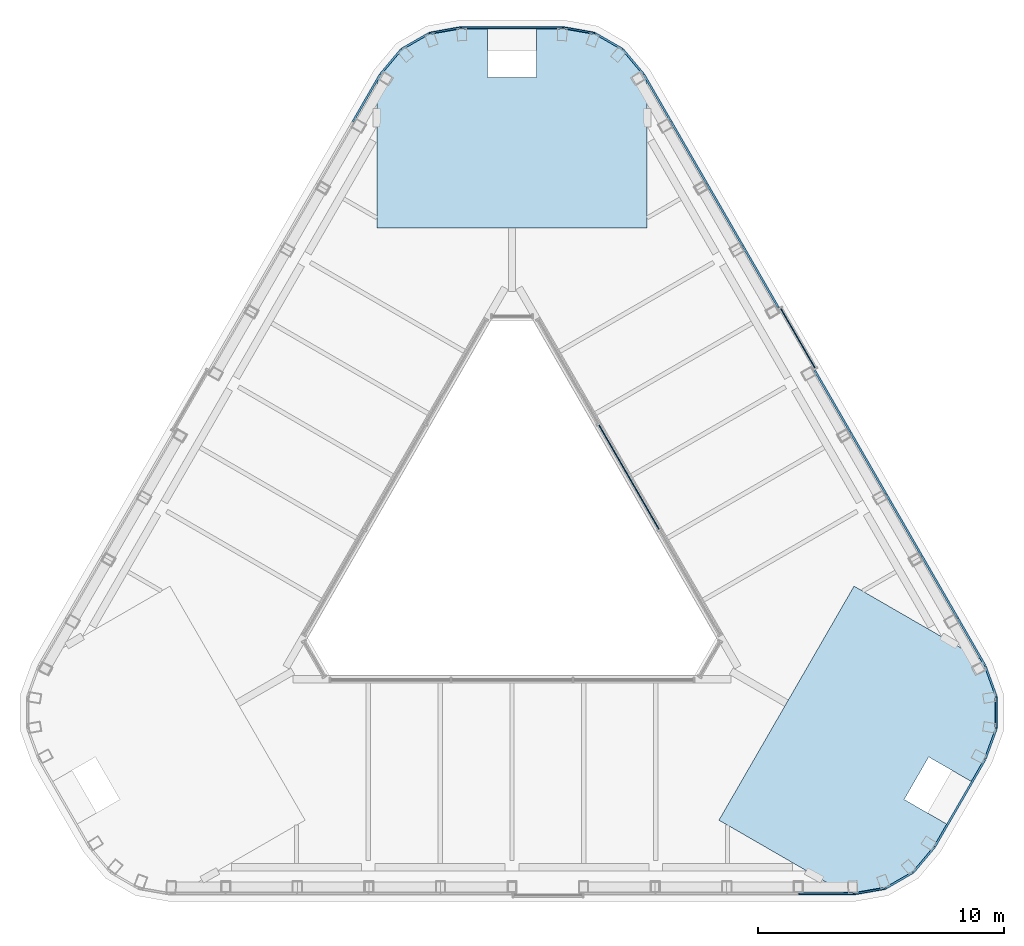
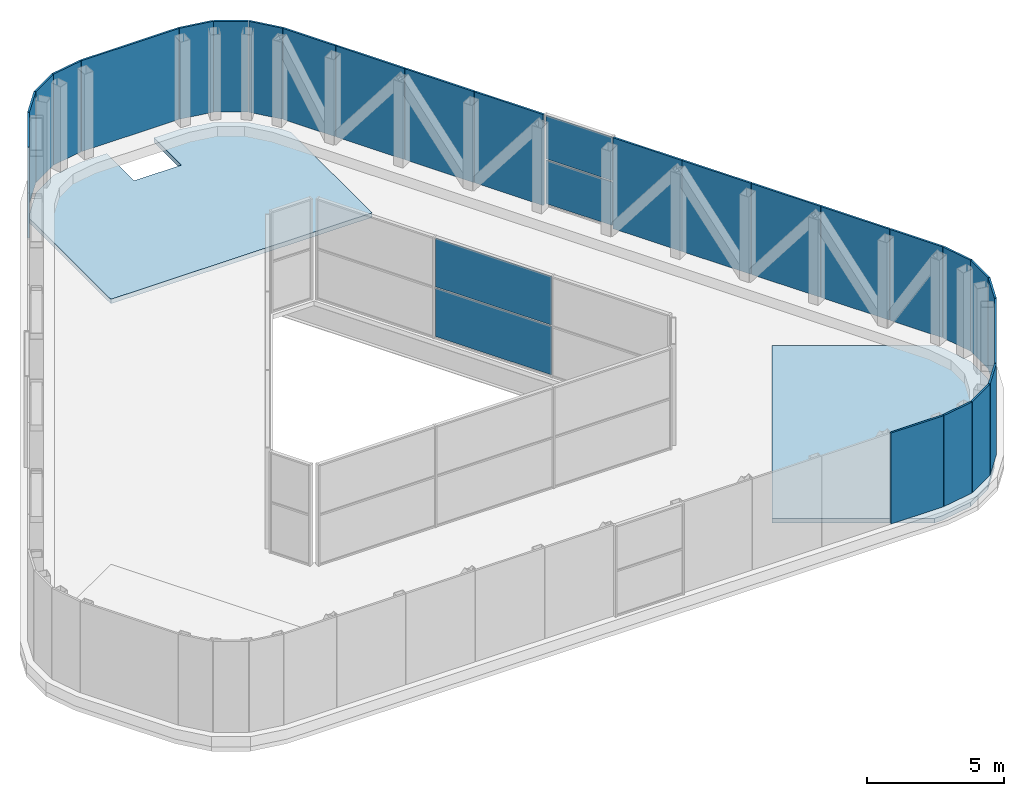
# One storey, part 5 of 5: 29 plates, 2 slabs, 2 elements without a shape of their own.
"""IFC4 building model written with IfcOpenShell, lengths in metres."""

from ifc_helpers import new_model, si_unit, direction, frame, origin, origin_2d, place, context, subcontext, project, spatial, polyline, rectangle, outline, extrude, material, layer, layer_set, type_object, element, aggregate, save


model = new_model("IFC4")

# Units and contexts
model_context = context("Model", 3, precision=1e-05, world=origin(), true_north=direction((0.0, 1.0)))
body_context = subcontext(model_context, "Body", "Model", "MODEL_VIEW")
ifc_project = project(units=[si_unit("LENGTHUNIT", "METRE"), si_unit("AREAUNIT", "SQUARE_METRE"), si_unit("VOLUMEUNIT", "CUBIC_METRE"), si_unit("PLANEANGLEUNIT", "RADIAN"), si_unit("MASSUNIT", "GRAM", prefix="KILO")], contexts=[model_context])

# Site, building, storey
site_placement = place(None, origin())
site = spatial("IfcSite", under=ifc_project, at=site_placement, CompositionType="ELEMENT")
building_placement = place(site_placement, origin())
building = spatial("IfcBuilding", under=site, at=building_placement, Name="Apuvela Tower Hotel", CompositionType="ELEMENT")
storey_placement = place(building_placement, frame((0.0, 0.0, 348.800048828125)))
storey = spatial("IfcBuildingStorey", under=building, at=storey_placement, Name="R-2 ROOF", CompositionType="ELEMENT", Elevation=348.800048828125)

# Slabs
ifc_material_1 = material(Name="Concrete C50/60", Category="concrete")
ifc_layer_1 = layer(ifc_material_1, 0.199951171875)
ifc_layer_set_1 = layer_set([ifc_layer_1], Name="COR-ROOF-200")
slab_type = type_object("IfcSlabType", Name="COR-ROOF-200", PredefinedType="ROOF", material=ifc_layer_set_1)
slab_1_placement = place(storey_placement, frame((0.0, 0.0, -0.199951171875)))
element("IfcSlab", 1, at=slab_1_placement, inside=storey, type_object=slab_type, Name="Core roof N", PredefinedType="ROOF", context=body_context, shape_type="SweptSolid", body=[
    extrude(outline(polyline([(-5.5, 18.826171875), (-5.5, 12.89990234375), (5.5, 12.89990234375), (5.5, 18.826171875), (5.330322265625, 19.119873046875), (4.481201171875, 20.1318359375), (3.364013671875, 20.777099609375), (2.06298828125, 21.00634765625), (1.0, 21.00634765625), (1.0, 19.00634765625), (-1.0, 19.00634765625), (-1.0, 21.00634765625), (-2.06298828125, 21.00634765625), (-3.364013671875, 20.777099609375), (-4.481201171875, 20.1318359375), (-5.330322265625, 19.119873046875), (-5.5, 18.826171875)])), origin(), (0.0, 0.0, 1.0), 0.199951171875),
])
slab_2_placement = place(storey_placement, frame((0.0, 0.0, -0.199951171875)))
element("IfcSlab", 2, at=slab_2_placement, inside=storey, type_object=slab_type, Name="Core roof SE", PredefinedType="ROOF", context=body_context, shape_type="SweptSolid", body=[
    extrude(outline(polyline([(18.692138671875, -9.63720703125), (19.223388671875, -8.716796875), (19.67529296875, -7.47509765625), (19.67529296875, -6.185302734375), (19.223388671875, -4.943603515625), (19.053955078125, -4.64990234375), (13.921630859375, -1.68701171875), (8.421630859375, -11.213134765625), (13.553955078125, -14.17626953125), (13.89306640625, -14.17626953125), (15.194091796875, -13.94677734375), (16.311279296875, -13.3017578125), (17.16064453125, -12.289794921875), (17.692138671875, -11.369140625), (15.9599609375, -10.369140625), (16.9599609375, -8.63720703125), (18.692138671875, -9.63720703125)])), origin(), (0.0, 0.0, 1.0), 0.199951171875),
])

# Plates
ifc_material_2 = material(Name="Aluminium 6063-T6, black anodised perforated panel", Category="aluminium")
ifc_layer_2 = layer(ifc_material_2, 0.080078125)
ifc_layer_set_2 = layer_set([ifc_layer_2], Name="ENV-CROWN-SCREEN-80")
plate_type_1 = type_object("IfcPlateType", Name="ENV-CROWN-SCREEN-80", PredefinedType="SHEET", material=ifc_layer_set_2)
plate_1_placement = place(storey_placement, frame((3.942626953125, 20.489013671875, 0.44970703125), z_axis=(0.0, 0.0, 1.0), x_axis=(-0.866025403784, 0.5, 0.0)))
element("IfcPlate", 3, at=plate_1_placement, inside=storey, type_object=plate_type_1, Name="Crown screen 1", PredefinedType="SHEET", context=body_context, shape_type="SweptSolid", body=[
    extrude(rectangle(XDim=1.2841796875, YDim=0.080078125, at=origin_2d()), origin(), (0.0, 0.0, 1.0), 4.050048828125),
])
plate_2_placement = place(storey_placement, frame((2.72216796875, 20.930908203125, 0.44970703125), z_axis=(0.0, 0.0, 1.0), x_axis=(-0.984807753012, 0.173648177667, 0.0)))
element("IfcPlate", 4, at=plate_2_placement, inside=storey, type_object=plate_type_1, Name="Crown screen 2", PredefinedType="SHEET", context=body_context, shape_type="SweptSolid", body=[
    extrude(rectangle(XDim=1.311767578125, YDim=0.080078125, at=origin_2d()), origin(), (0.0, 0.0, 1.0), 4.050048828125),
])
plate_3_placement = place(storey_placement, frame((0.0, 21.04638671875, 0.44970703125), z_axis=(0.0, 0.0, 1.0), x_axis=(-1.0, 0.0, 0.0)))
element("IfcPlate", 5, at=plate_3_placement, inside=storey, type_object=plate_type_1, Name="Crown screen 3", PredefinedType="SHEET", context=body_context, shape_type="SweptSolid", body=[
    extrude(rectangle(XDim=4.11279296875, YDim=0.080078125, at=origin_2d()), origin(), (0.0, 0.0, 1.0), 4.050048828125),
])
plate_4_placement = place(storey_placement, frame((-2.72216796875, 20.930908203125, 0.44970703125), z_axis=(0.0, 0.0, 1.0), x_axis=(-0.984807753012, -0.173648177667, 0.0)))
element("IfcPlate", 6, at=plate_4_placement, inside=storey, type_object=plate_type_1, Name="Crown screen 4", PredefinedType="SHEET", context=body_context, shape_type="SweptSolid", body=[
    extrude(rectangle(XDim=1.311767578125, YDim=0.080078125, at=origin_2d()), origin(), (0.0, 0.0, 1.0), 4.050048828125),
])
plate_5_placement = place(storey_placement, frame((-3.942626953125, 20.489013671875, 0.44970703125), z_axis=(0.0, 0.0, 1.0), x_axis=(-0.866025403784, -0.5, 0.0)))
element("IfcPlate", 7, at=plate_5_placement, inside=storey, type_object=plate_type_1, Name="Crown screen 5", PredefinedType="SHEET", context=body_context, shape_type="SweptSolid", body=[
    extrude(rectangle(XDim=1.2841796875, YDim=0.080078125, at=origin_2d()), origin(), (0.0, 0.0, 1.0), 4.050048828125),
])
plate_6_placement = place(storey_placement, frame((-4.935302734375, 19.653076171875, 0.44970703125), z_axis=(0.0, 0.0, 1.0), x_axis=(-0.642787609687, -0.766044443119, 0.0)))
element("IfcPlate", 8, at=plate_6_placement, inside=storey, type_object=plate_type_1, Name="Crown screen 6", PredefinedType="SHEET", context=body_context, shape_type="SweptSolid", body=[
    extrude(rectangle(XDim=1.311767578125, YDim=0.080078125, at=origin_2d()), origin(), (0.0, 0.0, 1.0), 4.050048828125),
])
for number, where, z_axis, x_axis, name in (
    (9, (-5.920166015625, 18.178466796875, 0.44970703125), (0.0, 0.0, 1.0), (-0.5, -0.866025403784, 0.0), "Crown screen 7"),
    (10, (12.782958984375, -14.21630859375, 0.44970703125), (0.0, 0.0, 1.0), (1.0, 0.0, 0.0), "Crown screen 33"),
):
    element("IfcPlate", number, at=place(storey_placement, frame(where, z_axis=z_axis, x_axis=x_axis)), inside=storey, type_object=plate_type_1, Name=name, PredefinedType="SHEET", context=body_context, shape_type="SweptSolid", body=[
        extrude(rectangle(XDim=2.20751953125, YDim=0.080078125, at=origin_2d()), origin(), (0.0, 0.0, 1.0), 4.050048828125),
    ])
plate_7_placement = place(storey_placement, frame((14.55224609375, -14.1005859375, 0.44970703125), z_axis=(0.0, 0.0, 1.0), x_axis=(0.984807753012, 0.173648177667, 0.0)))
element("IfcPlate", 11, at=plate_7_placement, inside=storey, type_object=plate_type_1, Name="Crown screen 34", PredefinedType="SHEET", context=body_context, shape_type="SweptSolid", body=[
    extrude(rectangle(XDim=1.311767578125, YDim=0.080078125, at=origin_2d()), origin(), (0.0, 0.0, 1.0), 4.050048828125),
])
plate_8_placement = place(storey_placement, frame((15.772705078125, -13.658935546875, 0.44970703125), z_axis=(0.0, 0.0, 1.0), x_axis=(0.866025403784, 0.5, 0.0)))
element("IfcPlate", 12, at=plate_8_placement, inside=storey, type_object=plate_type_1, Name="Crown screen 35", PredefinedType="SHEET", context=body_context, shape_type="SweptSolid", body=[
    extrude(rectangle(XDim=1.2841796875, YDim=0.080078125, at=origin_2d()), origin(), (0.0, 0.0, 1.0), 4.050048828125),
])
plate_9_placement = place(storey_placement, frame((16.765380859375, -12.82275390625, 0.44970703125), z_axis=(0.0, 0.0, 1.0), x_axis=(0.642787609687, 0.766044443119, 0.0)))
element("IfcPlate", 13, at=plate_9_placement, inside=storey, type_object=plate_type_1, Name="Crown screen 36", PredefinedType="SHEET", context=body_context, shape_type="SweptSolid", body=[
    extrude(rectangle(XDim=1.311767578125, YDim=0.080078125, at=origin_2d()), origin(), (0.0, 0.0, 1.0), 4.050048828125),
])
plate_10_placement = place(storey_placement, frame((18.226806640625, -10.523193359375, 0.44970703125), z_axis=(0.0, 0.0, 1.0), x_axis=(0.5, 0.866025403784, 0.0)))
element("IfcPlate", 14, at=plate_10_placement, inside=storey, type_object=plate_type_1, Name="Crown screen 37", PredefinedType="SHEET", context=body_context, shape_type="SweptSolid", body=[
    extrude(rectangle(XDim=4.11279296875, YDim=0.080078125, at=origin_2d()), origin(), (0.0, 0.0, 1.0), 4.050048828125),
])
plate_11_placement = place(storey_placement, frame((19.487548828125, -8.10791015625, 0.44970703125), z_axis=(0.0, 0.0, 1.0), x_axis=(0.342020143326, 0.939692620786, 0.0)))
element("IfcPlate", 15, at=plate_11_placement, inside=storey, type_object=plate_type_1, Name="Crown screen 38", PredefinedType="SHEET", context=body_context, shape_type="SweptSolid", body=[
    extrude(rectangle(XDim=1.311767578125, YDim=0.080078125, at=origin_2d()), origin(), (0.0, 0.0, 1.0), 4.050048828125),
])
plate_12_placement = place(storey_placement, frame((19.71533203125, -6.830078125, 0.44970703125), z_axis=(0.0, 0.0, 1.0), x_axis=(0.0, 1.0, 0.0)))
element("IfcPlate", 16, at=plate_12_placement, inside=storey, type_object=plate_type_1, Name="Crown screen 39", PredefinedType="SHEET", context=body_context, shape_type="SweptSolid", body=[
    extrude(rectangle(XDim=1.2841796875, YDim=0.080078125, at=origin_2d()), origin(), (0.0, 0.0, 1.0), 4.050048828125),
])
plate_13_placement = place(storey_placement, frame((19.487548828125, -5.552490234375, 0.44970703125), z_axis=(0.0, 0.0, 1.0), x_axis=(-0.342020143326, 0.939692620786, 0.0)))
element("IfcPlate", 17, at=plate_13_placement, inside=storey, type_object=plate_type_1, Name="Crown screen 40", PredefinedType="SHEET", context=body_context, shape_type="SweptSolid", body=[
    extrude(rectangle(XDim=1.311767578125, YDim=0.080078125, at=origin_2d()), origin(), (0.0, 0.0, 1.0), 4.050048828125),
])
plate_14_placement = place(storey_placement, frame((18.702880859375, -3.962158203125, 0.44970703125), z_axis=(0.0, 0.0, 1.0), x_axis=(-0.5, 0.866025403784, 0.0)))
element("IfcPlate", 18, at=plate_14_placement, inside=storey, type_object=plate_type_1, Name="Crown screen 41", PredefinedType="SHEET", context=body_context, shape_type="SweptSolid", body=[
    extrude(rectangle(XDim=2.20751953125, YDim=0.080078125, at=origin_2d()), origin(), (0.0, 0.0, 1.0), 4.050048828125),
])
for number, where, z_axis, x_axis, name in (
    (19, (17.4169921875, -1.734619140625, 0.44970703125), (0.0, 0.0, 1.0), (-0.5, 0.866025403784, 0.0), "Crown screen 42"),
    (20, (15.958251953125, 0.7919921875, 0.44970703125), (0.0, 0.0, 1.0), (-0.5, 0.866025403784, 0.0), "Crown screen 43"),
    (21, (14.49951171875, 3.318359375, 0.44970703125), (0.0, 0.0, 1.0), (-0.5, 0.866025403784, 0.0), "Crown screen 44"),
    (22, (13.041015625, 5.844970703125, 0.44970703125), (0.0, 0.0, 1.0), (-0.5, 0.866025403784, 0.0), "Crown screen 45"),
    (23, (10.12353515625, 10.897705078125, 0.44970703125), (0.0, 0.0, 1.0), (-0.5, 0.866025403784, 0.0), "Crown screen 47"),
    (24, (8.6650390625, 13.42431640625, 0.44970703125), (0.0, 0.0, 1.0), (-0.5, 0.866025403784, 0.0), "Crown screen 48"),
    (25, (7.206298828125, 15.95068359375, 0.44970703125), (0.0, 0.0, 1.0), (-0.5, 0.866025403784, 0.0), "Crown screen 49"),
):
    element("IfcPlate", number, at=place(storey_placement, frame(where, z_axis=z_axis, x_axis=x_axis)), inside=storey, type_object=plate_type_1, Name=name, PredefinedType="SHEET", context=body_context, shape_type="SweptSolid", body=[
        extrude(rectangle(XDim=2.897216796875, YDim=0.080078125, at=origin_2d()), origin(), (0.0, 0.0, 1.0), 4.050048828125),
    ])
plate_15_placement = place(storey_placement, frame((5.920166015625, 18.178466796875, 0.44970703125), z_axis=(0.0, 0.0, 1.0), x_axis=(-0.5, 0.866025403784, 0.0)))
element("IfcPlate", 26, at=plate_15_placement, inside=storey, type_object=plate_type_1, Name="Crown screen 50", PredefinedType="SHEET", context=body_context, shape_type="SweptSolid", body=[
    extrude(rectangle(XDim=2.20751953125, YDim=0.080078125, at=origin_2d()), origin(), (0.0, 0.0, 1.0), 4.050048828125),
])
plate_16_placement = place(storey_placement, frame((4.935302734375, 19.653076171875, 0.44970703125), z_axis=(0.0, 0.0, 1.0), x_axis=(-0.642787609687, 0.766044443119, 0.0)))
element("IfcPlate", 27, at=plate_16_placement, inside=storey, type_object=plate_type_1, Name="Crown screen 51", PredefinedType="SHEET", context=body_context, shape_type="SweptSolid", body=[
    extrude(rectangle(XDim=1.311767578125, YDim=0.080078125, at=origin_2d()), origin(), (0.0, 0.0, 1.0), 4.050048828125),
])

# Curtain wall, plates
ifc_material_3 = material(Name="Aluminium 6063-T6, dark bronze anodised", Category="aluminium")
ifc_layer_3 = layer(ifc_material_3, 0.199951171875)
ifc_layer_set_3 = layer_set([ifc_layer_3], Name="ENV-CW-C")
curtain_wall_type_1 = type_object("IfcCurtainWallType", Name="ENV-CW-C", PredefinedType="NOTDEFINED", material=ifc_layer_set_3)
curtain_wall_1_placement = place(storey_placement, origin())
curtain_wall_1 = element("IfcCurtainWall", 28, at=curtain_wall_1_placement, inside=storey, type_object=curtain_wall_type_1, Name="Crown glazing 46 R-2 ROOF", PredefinedType="NOTDEFINED")
ifc_material_4 = material(Name="Glass, dark tinted laminated insulated glazing unit", Category="glass")
ifc_layer_4 = layer(ifc_material_4, 0.0400390625)
ifc_layer_set_4 = layer_set([ifc_layer_4], Name="ENV-PANEL-IGU-40")
plate_type_2 = type_object("IfcPlateType", Name="ENV-PANEL-IGU-40", PredefinedType="CURTAIN_PANEL", material=ifc_layer_set_4)
plate_17_placement = place(storey_placement, frame((11.63427734375, 8.4013671875, 0.51513671875), z_axis=(0.0, 0.0, 1.0), x_axis=(-0.500006310028, 0.866021760657, 0.0)))
plate_17 = element("IfcPlate", 29, at=plate_17_placement, type_object=plate_type_2, Name="CW-C panel 1.1", PredefinedType="CURTAIN_PANEL", context=body_context, shape_type="SweptSolid", body=[
    extrude(rectangle(XDim=2.787353515625, YDim=0.0400390625, at=origin_2d()), origin(), (0.0, 0.0, 1.0), 1.927490234375),
])
plate_18_placement = place(storey_placement, frame((11.63427734375, 8.4013671875, 2.50732421875), z_axis=(0.0, 0.0, 1.0), x_axis=(-0.500006310028, 0.866021760657, 0.0)))
plate_18 = element("IfcPlate", 30, at=plate_18_placement, type_object=plate_type_2, Name="CW-C panel 1.2", PredefinedType="CURTAIN_PANEL", context=body_context, shape_type="SweptSolid", body=[
    extrude(rectangle(XDim=2.787353515625, YDim=0.0400390625, at=origin_2d()), origin(), (0.0, 0.0, 1.0), 1.927490234375),
])
aggregate(curtain_wall_1, [plate_17, plate_18])

ifc_layer_5 = layer(ifc_material_3, 0.199951171875)
ifc_layer_set_5 = layer_set([ifc_layer_5], Name="ENV-CW-A")
curtain_wall_type_2 = type_object("IfcCurtainWallType", Name="ENV-CW-A", PredefinedType="NOTDEFINED", material=ifc_layer_set_5)
curtain_wall_2_placement = place(storey_placement, origin())
curtain_wall_2 = element("IfcCurtainWall", 31, at=curtain_wall_2_placement, inside=storey, type_object=curtain_wall_type_2, Name="Atrium glazing 6 R-2 ROOF", PredefinedType="NOTDEFINED")
plate_19_placement = place(storey_placement, frame((4.76318359375, 2.75, 0.06494140625), z_axis=(0.0, 0.0, 1.0), x_axis=(-0.499999069899, 0.866025940778, 0.0)))
plate_19 = element("IfcPlate", 32, at=plate_19_placement, type_object=plate_type_2, Name="CW-A panel 2.1", PredefinedType="CURTAIN_PANEL", context=body_context, shape_type="SweptSolid", body=[
    extrude(rectangle(XDim=4.900146484375, YDim=0.0400390625, at=origin_2d()), origin(), (0.0, 0.0, 1.0), 2.152587890625),
])
plate_20_placement = place(storey_placement, frame((4.76318359375, 2.75, 2.2822265625), z_axis=(0.0, 0.0, 1.0), x_axis=(-0.499999069899, 0.866025940778, 0.0)))
plate_20 = element("IfcPlate", 33, at=plate_20_placement, type_object=plate_type_2, Name="CW-A panel 2.2", PredefinedType="CURTAIN_PANEL", context=body_context, shape_type="SweptSolid", body=[
    extrude(rectangle(XDim=4.900146484375, YDim=0.0400390625, at=origin_2d()), origin(), (0.0, 0.0, 1.0), 2.152587890625),
])
aggregate(curtain_wall_2, [plate_19, plate_20])

save(model, "model.ifc")
